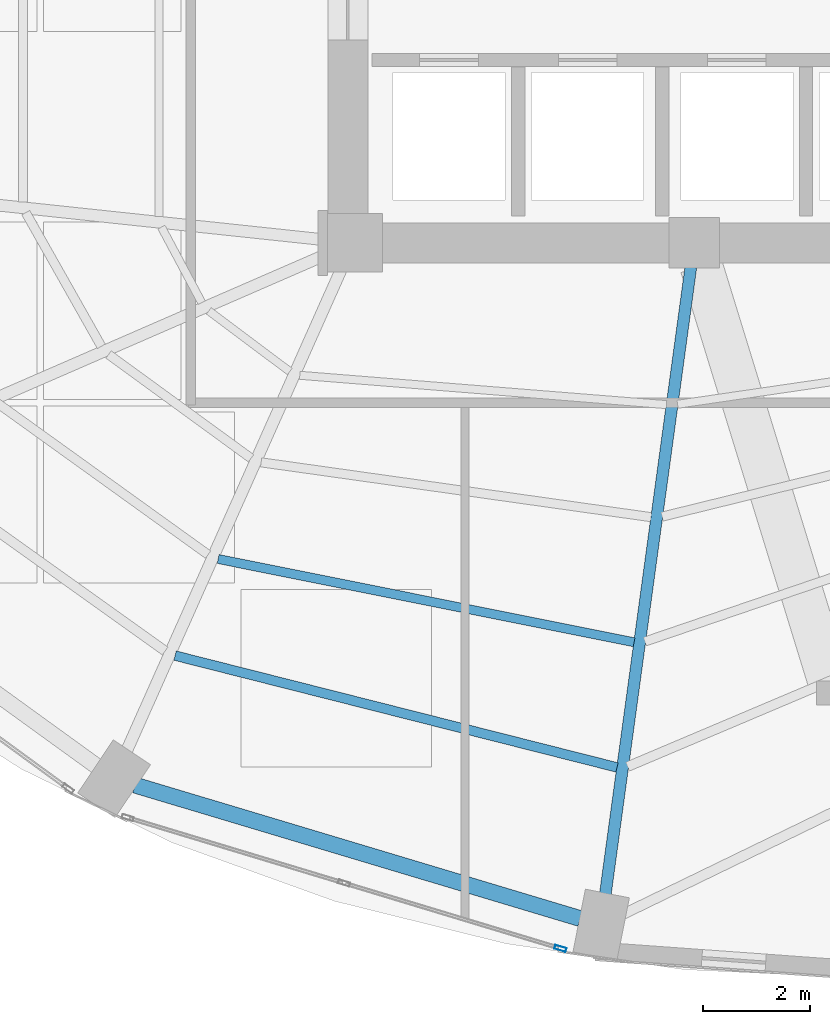
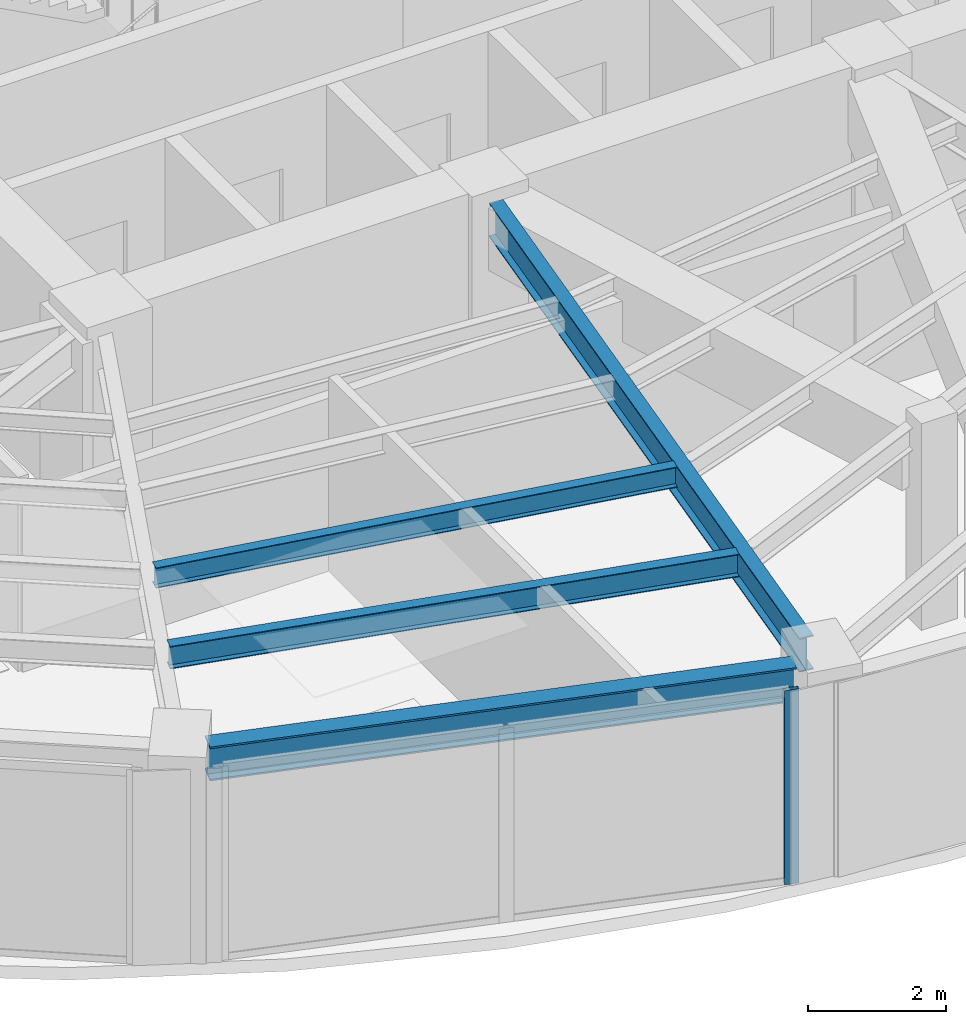
# One storey, part 5 of 23: 4 beams, 1 member, 1 element without a shape of its own.
"""IFC4 building model written with IfcOpenShell, lengths in metres."""

import ifcopenshell
import ifcopenshell.guid

model = None  # the IFC model being written
_history = None  # IfcOwnerHistory: only IFC2X3 demands one
_inside = {}  # id of a spatial element -> (the spatial element, [elements in it])
_under = {}  # id of a project, library or spatial element -> (it, [spatial elements below it])
_declared = {}  # id of a project -> (the project, [libraries it declares])
_typed = {}  # id of a type object -> (the type object, [elements of that type])
_made_of = {}  # id of a material, layer set ... -> (it, [elements and type objects made of it])


def new_model(schema):
    """Start an empty IFC model of exactly this schema.

    Asked for "IFC4X3", IfcOpenShell would pick the latest addendum, in which some entities
    have other attributes; the version numbers below select the first issue.
    IFC2X3 requires an IfcOwnerHistory on every rooted entity: one is made here for all.
    """
    global model, _history
    if schema == "IFC4X3":
        model = ifcopenshell.file(schema_version=(4, 3, 0, 0))
    else:
        model = ifcopenshell.file(schema=schema)
    _inside.clear()
    _under.clear()
    _declared.clear()
    _typed.clear()
    _made_of.clear()
    _history = None
    if model.schema == "IFC2X3":
        org = make("IfcOrganization", Name="unknown")
        user = make(
            "IfcPersonAndOrganization",
            ThePerson=make("IfcPerson", FamilyName="unknown"),
            TheOrganization=org,
        )
        app = make(
            "IfcApplication",
            ApplicationDeveloper=org,
            Version="unknown",
            ApplicationFullName="unknown",
            ApplicationIdentifier="unknown",
        )
        _history = make(
            "IfcOwnerHistory",
            OwningUser=user,
            OwningApplication=app,
            ChangeAction="ADDED",
            CreationDate=0,
        )
    return model


def make(cls, **values):
    """One entity of the class cls with the attributes given. An attribute that is None is left unset."""
    return model.create_entity(
        cls, **{name: value for name, value in values.items() if value is not None}
    )


def rooted(cls, **values):
    """An entity with a GlobalId (a new one), such as an element, a storey or a relation."""
    return make(cls, GlobalId=ifcopenshell.guid.new(), OwnerHistory=_history, **values)


def si_unit(unit_type, name, prefix=None):
    """IfcSIUnit, for example si_unit("LENGTHUNIT", "METRE", prefix="MILLI")."""
    return make("IfcSIUnit", UnitType=unit_type, Prefix=prefix, Name=name)


def assignment(units):
    """IfcUnitAssignment: the units of a project."""
    return None if units is None else make("IfcUnitAssignment", Units=units)


def point(xyz):
    """IfcCartesianPoint."""
    return None if xyz is None else make("IfcCartesianPoint", Coordinates=xyz)


def direction(xyz):
    """IfcDirection."""
    return None if xyz is None else make("IfcDirection", DirectionRatios=xyz)


def frame(location, z_axis=None, x_axis=None):
    """IfcAxis2Placement3D, a coordinate frame: its origin and axes. An axis left out is left unset."""
    return make(
        "IfcAxis2Placement3D",
        Location=point(location),
        Axis=direction(z_axis),
        RefDirection=direction(x_axis),
    )


def frame_2d(location, x_axis=None):
    """IfcAxis2Placement2D, a coordinate frame in the plane: its origin and x axis."""
    return make(
        "IfcAxis2Placement2D", Location=point(location), RefDirection=direction(x_axis)
    )


def origin():
    """The frame at (0, 0, 0) with its axes left unset."""
    return frame((0.0, 0.0, 0.0))


def origin_2d():
    """The frame at (0, 0) in the plane with its x axis left unset."""
    return frame_2d((0.0, 0.0))


def place(relative_to, where):
    """IfcLocalPlacement: puts the frame where relative to a parent placement (None: the world)."""
    return make(
        "IfcLocalPlacement", PlacementRelTo=relative_to, RelativePlacement=where
    )


def context(
    kind, dimensions, precision=None, world=None, true_north=None, identifier=None
):
    """IfcGeometricRepresentationContext, for example the 3D "Model" context."""
    return make(
        "IfcGeometricRepresentationContext",
        ContextIdentifier=identifier,
        ContextType=kind,
        CoordinateSpaceDimension=dimensions,
        Precision=precision,
        WorldCoordinateSystem=world,
        TrueNorth=true_north,
    )


def subcontext(parent, identifier, kind, view, scale=None):
    """IfcGeometricRepresentationSubContext, for example "Body" below "Model"."""
    return make(
        "IfcGeometricRepresentationSubContext",
        ContextIdentifier=identifier,
        ContextType=kind,
        ParentContext=parent,
        TargetScale=scale,
        TargetView=view,
    )


def project(units=None, contexts=None):
    """IfcProject with its units and contexts."""
    return rooted(
        "IfcProject",
        Name="project",
        RepresentationContexts=contexts,
        UnitsInContext=assignment(units),
    )


def spatial(cls, under=None, at=None, **own):
    """A site, building, storey or space (cls), placed at a placement, below another one or the project."""
    s = rooted(cls, ObjectPlacement=at, **own)
    if under is not None:
        _under.setdefault(under.id(), (under, []))[1].append(s)
    return s


def profile(cls, at=None, kind="AREA", **sizes):
    """A parametric profile (cls). Its sizes go by their IFC names, for example OverallWidth=200.0."""
    return make(cls, ProfileType=kind, Position=at, **sizes)


def hollow_rectangle(**sizes):
    """IfcRectangleHollowProfileDef."""
    return profile("IfcRectangleHollowProfileDef", **sizes)


def i_section(**sizes):
    """IfcIShapeProfileDef."""
    return profile("IfcIShapeProfileDef", **sizes)


def extrude(swept, where, along, depth):
    """IfcExtrudedAreaSolid: the profile swept, set in the frame where, extruded along a direction by depth."""
    return make(
        "IfcExtrudedAreaSolid",
        SweptArea=swept,
        Position=where,
        ExtrudedDirection=direction(along),
        Depth=depth,
    )


def shape(context_of_items, identifier, shape_type, items):
    """IfcShapeRepresentation: the items that make up one representation, for example the "Body"."""
    return make(
        "IfcShapeRepresentation",
        ContextOfItems=context_of_items,
        RepresentationIdentifier=identifier,
        RepresentationType=shape_type,
        Items=items,
    )


def material(Name=None, Category=None):
    """IfcMaterial."""
    return make("IfcMaterial", Name=Name, Category=Category)


def layer(
    of_material, thickness, ventilated=None, Name=None, Category=None, Priority=None
):
    """IfcMaterialLayer: one layer of a wall or slab, of a material (None: an air gap)."""
    return make(
        "IfcMaterialLayer",
        Material=of_material,
        LayerThickness=thickness,
        IsVentilated=ventilated,
        Name=Name,
        Category=Category,
        Priority=Priority,
    )


def layer_set(layers, Name=None):
    """IfcMaterialLayerSet."""
    return make("IfcMaterialLayerSet", MaterialLayers=layers, LayerSetName=Name)


def material_profile(
    of_material, cross_section, Name=None, Category=None, Priority=None
):
    """IfcMaterialProfile: a cross section and its material."""
    return make(
        "IfcMaterialProfile",
        Name=Name,
        Material=of_material,
        Profile=cross_section,
        Priority=Priority,
        Category=Category,
    )


def profile_set(profiles, Name=None, composite=None):
    """IfcMaterialProfileSet."""
    return make(
        "IfcMaterialProfileSet",
        Name=Name,
        MaterialProfiles=profiles,
        CompositeProfile=composite,
    )


def made_of(thing, what):
    """Note that an element or type object is made of a material, layer set ...; save() writes the relation."""
    if what is not None:
        _made_of.setdefault(what.id(), (what, []))[1].append(thing)
    return thing


def type_object(cls, material=None, **own):
    """A type object (cls), such as IfcWallType, which elements share."""
    return made_of(rooted(cls, **own), material)


def element(
    cls,
    number,
    at=None,
    inside=None,
    cuts=None,
    type_object=None,
    material=None,
    context=None,
    identifier="Body",
    shape_type=None,
    held_by="IfcProductDefinitionShape",
    body=None,
    shapes=None,
    **own,
):
    """One element of the class cls, such as IfcWall. Its Tag is "e" and its number.

    at: its placement. inside: the storey or other place that contains it. cuts: it is an
    opening in that element (IfcRelVoidsElement). A single representation is given by context,
    identifier, shape_type and body (its items); several are given by shapes. held_by: the class
    of the entity that holds the representations. save() writes the other relations.
    """
    e = rooted(cls, Tag="e%d" % number, ObjectPlacement=at, **own)
    if body is not None:
        shapes = [shape(context, identifier, shape_type, body)]
    if shapes is not None:
        e.Representation = make(held_by, Representations=shapes)
    if inside is not None:
        _inside.setdefault(inside.id(), (inside, []))[1].append(e)
    if cuts is not None:
        rooted(
            "IfcRelVoidsElement", RelatingBuildingElement=cuts, RelatedOpeningElement=e
        )
    if type_object is not None:
        _typed.setdefault(type_object.id(), (type_object, []))[1].append(e)
    return made_of(e, material)


def aggregate(whole, parts):
    """IfcRelAggregates: a whole, such as a stair, and the parts it consists of."""
    return rooted("IfcRelAggregates", RelatingObject=whole, RelatedObjects=parts)


def save(model, path):
    """Write the relations noted so far, then the file.

    IfcRelAggregates (storeys below a building ...), IfcRelContainedInSpatialStructure (elements
    in a storey), IfcRelDefinesByType, IfcRelAssociatesMaterial and IfcRelDeclares: one each for
    every whole, place, type object, material and project.
    """
    for whole, parts in _under.values():
        aggregate(whole, parts)
    for where, things in _inside.values():
        rooted(
            "IfcRelContainedInSpatialStructure",
            RelatedElements=things,
            RelatingStructure=where,
        )
    for kind, things in _typed.values():
        rooted("IfcRelDefinesByType", RelatedObjects=things, RelatingType=kind)
    for what, things in _made_of.values():
        rooted("IfcRelAssociatesMaterial", RelatedObjects=things, RelatingMaterial=what)
    for by, libraries in _declared.values():
        rooted("IfcRelDeclares", RelatingContext=by, RelatedDefinitions=libraries)
    model.write(path)


model = new_model("IFC4")

# Units and contexts
model_context = context("Model", 3, precision=1e-05, world=origin(), true_north=direction((0.0, 1.0)))
body_context = subcontext(model_context, "Body", "Model", "MODEL_VIEW")
ifc_project = project(units=[si_unit("LENGTHUNIT", "METRE"), si_unit("AREAUNIT", "SQUARE_METRE"), si_unit("VOLUMEUNIT", "CUBIC_METRE"), si_unit("PLANEANGLEUNIT", "RADIAN"), si_unit("MASSUNIT", "GRAM", prefix="KILO")], contexts=[model_context])

# Site, building, storey
site_placement = place(None, origin())
site = spatial("IfcSite", under=ifc_project, at=site_placement, CompositionType="ELEMENT")
building_placement = place(site_placement, origin())
building = spatial("IfcBuilding", under=site, at=building_placement, Name="Lazwardi Medical Tower", CompositionType="ELEMENT")
storey_placement = place(building_placement, frame((0.0, 0.0, 121.8720703125)))
storey = spatial("IfcBuildingStorey", under=building, at=storey_placement, Name="L31", CompositionType="ELEMENT", Elevation=121.8720703125)

# Beams
ifc_material_1 = material(Name="Steel S355", Category="steel")
ifc_material_profile_1 = material_profile(ifc_material_1, i_section(OverallWidth=0.300048828125, OverallDepth=0.60009765625, WebThickness=0.015380859375, FlangeThickness=0.030029296875, at=origin_2d()), Name="HEB 600")
ifc_profile_set_1 = profile_set([ifc_material_profile_1], Name="Steel S355")
beam_type_1 = type_object("IfcBeamType", Name="BM-RB-Z2", PredefinedType="BEAM", material=ifc_profile_set_1)
beam_1_placement = place(storey_placement, frame((22.30908203125, 10.224609375, 3.1279296875), z_axis=(0.957879438442, -0.287170648587, 0.0), x_axis=(0.287170648587, 0.957879438442, 0.0)))
element("IfcBeam", 1, at=beam_1_placement, inside=storey, type_object=beam_type_1, Name="Ring beam RB-03 B15 L31", PredefinedType="BEAM", context=body_context, shape_type="SweptSolid", body=[
    extrude(i_section(OverallWidth=0.300048828125, OverallDepth=0.60009765625, WebThickness=0.015380859375, FlangeThickness=0.030029296875, at=origin_2d()), origin(), (0.0, 0.0, 1.0), 8.719970703125),
])
ifc_material_profile_2 = material_profile(ifc_material_1, i_section(OverallWidth=0.219970703125, OverallDepth=0.60009765625, WebThickness=0.011962890625, FlangeThickness=0.01904296875, at=origin_2d()), Name="IPE 600")
ifc_profile_set_2 = profile_set([ifc_material_profile_2], Name="Steel S355")
beam_type_2 = type_object("IfcBeamType", Name="BM-RG-W1", PredefinedType="BEAM", material=ifc_profile_set_2)
beam_2_placement = place(storey_placement, frame((31.1328125, 8.17724609375, 3.1279296875), z_axis=(0.135147148002, 0.990825538825, 0.0), x_axis=(-0.990825538825, 0.135147148002, 0.0)))
element("IfcBeam", 2, at=beam_2_placement, inside=storey, type_object=beam_type_2, Name="Radial girder RG-02 R16 L31", PredefinedType="BEAM", context=body_context, shape_type="SweptSolid", body=[
    extrude(i_section(OverallWidth=0.219970703125, OverallDepth=0.60009765625, WebThickness=0.011962890625, FlangeThickness=0.01904296875, at=origin_2d()), origin(), (0.0, 0.0, 1.0), 11.875732421875),
])
ifc_material_profile_3 = material_profile(ifc_material_1, i_section(OverallWidth=0.179931640625, OverallDepth=0.39990234375, WebThickness=0.008544921875, FlangeThickness=0.013427734375, at=origin_2d()), Name="IPE 400")
ifc_profile_set_3 = profile_set([ifc_material_profile_3], Name="Steel S355")
beam_type_3 = type_object("IfcBeamType", Name="BM-SJ-01", PredefinedType="JOIST", material=ifc_profile_set_3)
beam_3_placement = place(storey_placement, frame((23.060302734375, 12.654296875, 3.22802734375), z_axis=(0.96945186753, -0.245281626997, 0.0), x_axis=(0.245281626997, 0.96945186753, 0.0)))
element("IfcBeam", 3, at=beam_3_placement, inside=storey, type_object=beam_type_3, Name="Secondary joist SJ-01 R1 B15 L31", PredefinedType="JOIST", context=body_context, shape_type="SweptSolid", body=[
    extrude(i_section(OverallWidth=0.179931640625, OverallDepth=0.39990234375, WebThickness=0.008544921875, FlangeThickness=0.013427734375, at=origin_2d()), origin(), (0.0, 0.0, 1.0), 8.552978515625),
])
ifc_material_profile_4 = material_profile(ifc_material_1, i_section(OverallWidth=0.169921875, OverallDepth=0.360107421875, WebThickness=0.008056640625, FlangeThickness=0.0126953125, at=origin_2d()), Name="IPE 360")
ifc_profile_set_4 = profile_set([ifc_material_profile_4], Name="Steel S355")
beam_type_4 = type_object("IfcBeamType", Name="BM-SJ-02", PredefinedType="JOIST", material=ifc_profile_set_4)
beam_4_placement = place(storey_placement, frame((23.8671875, 14.46728515625, 3.248046875), z_axis=(0.980542906584, -0.196304886203, 0.0), x_axis=(0.196304886203, 0.980542906584, 0.0)))
element("IfcBeam", 4, at=beam_4_placement, inside=storey, type_object=beam_type_4, Name="Secondary joist SJ-02 R2 B15 L31", PredefinedType="JOIST", context=body_context, shape_type="SweptSolid", body=[
    extrude(i_section(OverallWidth=0.169921875, OverallDepth=0.360107421875, WebThickness=0.008056640625, FlangeThickness=0.0126953125, at=origin_2d()), origin(), (0.0, 0.0, 1.0), 7.95947265625),
])

# Curtain wall, member
ifc_material_2 = material(Name="Anodised bronze aluminium and solar control glazing", Category="aluminium")
ifc_layer = layer(ifc_material_2, 0.195068359375)
ifc_layer_set = layer_set([ifc_layer], Name="Anodised bronze aluminium and solar control glazing")
curtain_wall_type = type_object("IfcCurtainWallType", Name="CW-SYS-03", PredefinedType="NOTDEFINED", material=ifc_layer_set)
curtain_wall_placement = place(storey_placement, origin())
curtain_wall = element("IfcCurtainWall", 5, at=curtain_wall_placement, inside=storey, type_object=curtain_wall_type, Name="L31 Unitised bronze curtain wall CW-03", PredefinedType="NOTDEFINED")
ifc_material_3 = material(Name="Anodised bronze aluminium", Category="aluminium")
ifc_material_profile_5 = material_profile(ifc_material_3, hollow_rectangle(XDim=0.074951171875, YDim=0.219970703125, WallThickness=0.00390625, at=origin_2d()), Name="ALU-MULLION 220x75x4")
ifc_profile_set_5 = profile_set([ifc_material_profile_5], Name="Anodised bronze aluminium")
member_type = type_object("IfcMemberType", Name="CW-MUL-01", PredefinedType="MULLION", material=ifc_profile_set_5)
member_placement = place(storey_placement, frame((30.289794921875, 7.159912109375, 0.0), z_axis=(0.0, 0.0, 1.0), x_axis=(0.28937381157, 0.957216170558, 0.0)))
member = element("IfcMember", 6, at=member_placement, type_object=member_type, Name="CW-03 mullion 3", PredefinedType="MULLION", context=body_context, shape_type="SweptSolid", body=[
    extrude(hollow_rectangle(XDim=0.074951171875, YDim=0.219970703125, WallThickness=0.00390625, at=origin_2d()), origin(), (0.0, 0.0, 1.0), 3.427978515625),
])
aggregate(curtain_wall, [member])

save(model, "model.ifc")
